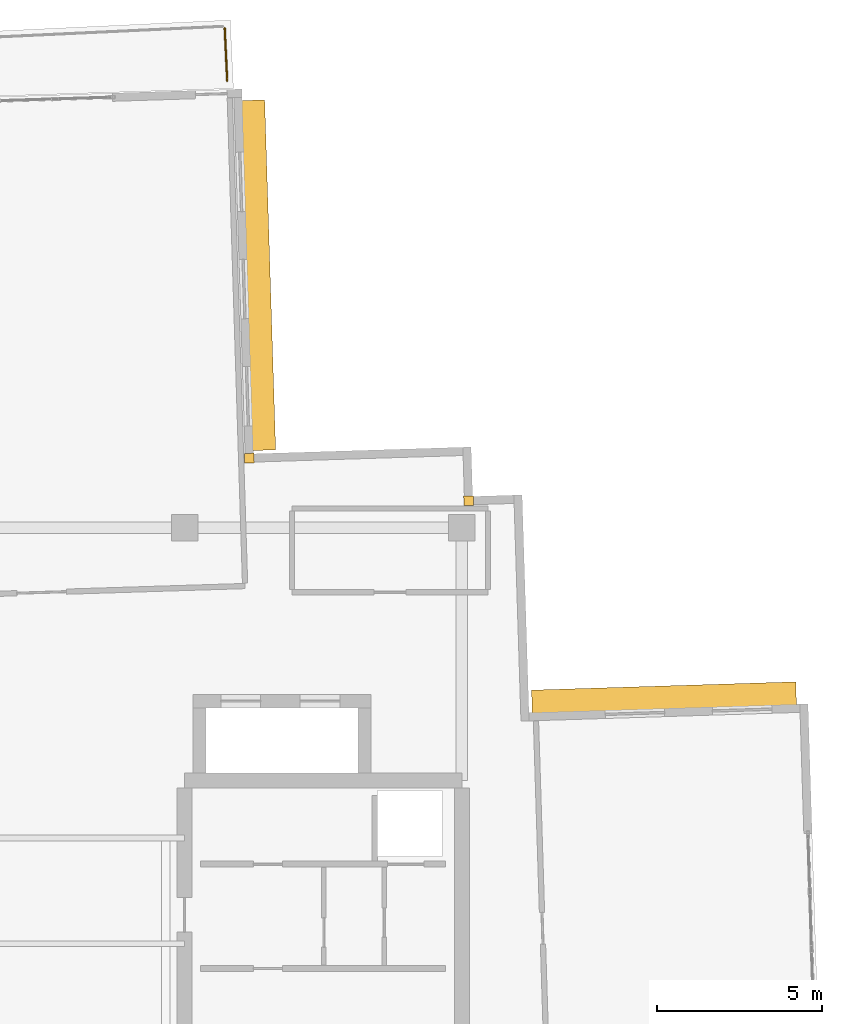
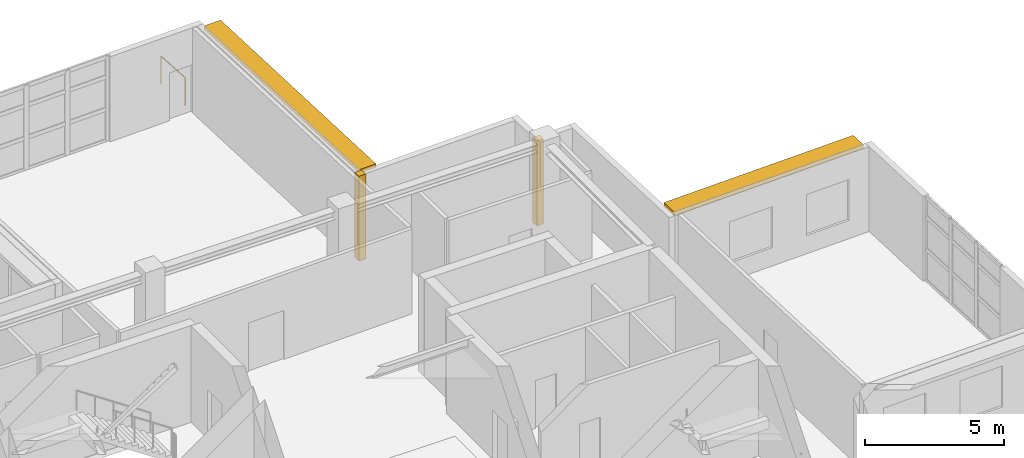
# One storey, part 18 of 18: 2 coverings, 2 shading devices, 1 railing.
"""IFC4 building model written with IfcOpenShell, lengths in metres."""

from ifc_helpers import new_model, si_unit, direction, frame, origin, origin_2d, place, context, subcontext, project, spatial, rectangle, circle, extrude, material, layer, layer_set, type_object, element, save


model = new_model("IFC4")

# Units and contexts
model_context = context("Model", 3, precision=1e-05, world=origin(), true_north=direction((0.0, 1.0)))
body_context = subcontext(model_context, "Body", "Model", "MODEL_VIEW")
ifc_project = project(units=[si_unit("LENGTHUNIT", "METRE"), si_unit("AREAUNIT", "SQUARE_METRE"), si_unit("VOLUMEUNIT", "CUBIC_METRE"), si_unit("PLANEANGLEUNIT", "RADIAN"), si_unit("MASSUNIT", "GRAM", prefix="KILO")], contexts=[model_context])

# Site, building, storey
site_placement = place(None, origin())
site = spatial("IfcSite", under=ifc_project, at=site_placement, CompositionType="ELEMENT")
building_placement = place(site_placement, origin())
building = spatial("IfcBuilding", under=site, at=building_placement, Name="Qingluan Cross Belvedere", CompositionType="ELEMENT")
storey_placement = place(building_placement, frame((0.0, 0.0, 299.39990234375)))
storey = spatial("IfcBuildingStorey", under=building, at=storey_placement, Name="L74", CompositionType="ELEMENT", Elevation=299.39990234375)

# Coverings
ifc_material_1 = material(Name="Precast concrete C45", Category="concrete")
ifc_layer_1 = layer(ifc_material_1, 0.1201171875, Name="ConcreteSpandrelCladding_120")
ifc_layer_set_1 = layer_set([ifc_layer_1], Name="Precast concrete C45")
covering_type = type_object("IfcCoveringType", Name="ConcreteSpandrelCladding_120", PredefinedType="CLADDING", material=ifc_layer_set_1)
for number, where, z_axis, x_axis, name in (
    (1, (12.6044921875, 13.422607421875, 0.0), (0.0, 0.0, 1.0), (0.999506560366, 0.031410759078, 0.0), "Corner closure L74-NE1"),
    (2, (5.960693359375, 14.714599609375, 0.0), (0.0, 0.0, 1.0), (0.999506560366, 0.031410759078, 0.0), "Corner closure L74-NE2"),
):
    element("IfcCovering", number, at=place(storey_placement, frame(where, z_axis=z_axis, x_axis=x_axis)), inside=storey, type_object=covering_type, Name=name, PredefinedType="CLADDING", context=body_context, shape_type="SweptSolid", body=[
        extrude(rectangle(XDim=0.2900390625, YDim=0.2900390625, at=origin_2d()), origin(), (0.0, 0.0, 1.0), 3.72998046875),
    ])

# Shading devices
ifc_material_2 = material(Name="Precast concrete C45", Category="concrete")
ifc_layer_2 = layer(ifc_material_2, 0.139892578125, Name="ConcreteSunshadeBand_700")
ifc_layer_set_2 = layer_set([ifc_layer_2], Name="Precast concrete C45")
shading_device_type = type_object("IfcShadingDeviceType", Name="ConcreteSunshadeBand_700", PredefinedType="USERDEFINED", material=ifc_layer_set_2)
shading_device_1_placement = place(storey_placement, frame((18.52490234375, 7.46044921875, 3.55029296875), z_axis=(0.0, 0.0, 1.0), x_axis=(-0.999506498947, -0.031412713388, 0.0)))
element("IfcShadingDevice", 3, at=shading_device_1_placement, inside=storey, type_object=shading_device_type, Name="Concrete SUNSHADE L74-EB", ObjectType="SUNSHADE", PredefinedType="USERDEFINED", context=body_context, shape_type="SweptSolid", body=[
    extrude(rectangle(XDim=8.010009765625, YDim=0.699951171875, at=origin_2d()), origin(), (0.0, 0.0, 1.0), 0.159912109375),
])
shading_device_2_placement = place(storey_placement, frame((6.24169921875, 20.256103515625, 3.55029296875), z_axis=(0.0, 0.0, 1.0), x_axis=(-0.031406011072, 0.999506709567, 0.0)))
element("IfcShadingDevice", 4, at=shading_device_2_placement, inside=storey, type_object=shading_device_type, Name="Concrete SUNSHADE L74-NA", ObjectType="SUNSHADE", PredefinedType="USERDEFINED", context=body_context, shape_type="SweptSolid", body=[
    extrude(rectangle(XDim=10.610107421875, YDim=0.699951171875, at=origin_2d()), origin(), (0.0, 0.0, 1.0), 0.159912109375),
])

# Railing
ifc_material_3 = material(Name="Laminated safety glass and stainless steel balustrade", Category="steel")
railing_type = type_object("IfcRailingType", Name="ObservationGuardBalustrade_1250", PredefinedType="BALUSTRADE", material=ifc_material_3)
railing_placement = place(storey_placement, frame((5.214111328125, 27.741455078125, 0.0)))
element("IfcRailing", 5, at=railing_placement, inside=storey, type_object=railing_type, Name="Terrace guard L74-2", PredefinedType="BALUSTRADE", context=body_context, shape_type="SweptSolid", body=[
    extrude(circle(Radius=0.02392578125, at=origin_2d()), frame((0.0, 0.0, 1.22607421875), z_axis=(0.047013970573, -0.998894231924, 0.0), x_axis=(0.998894231924, 0.047013970573, 0.0)), (0.0, 0.0, 1.0), 1.599365234375),
    extrude(circle(Radius=0.02099609375, at=origin_2d()), origin(), (0.0, 0.0, 1.0), 1.201904296875),
    extrude(circle(Radius=0.02099609375, at=origin_2d()), frame((0.0751953125, -1.59765625, 0.0)), (0.0, 0.0, 1.0), 1.201904296875),
])

save(model, "model.ifc")
